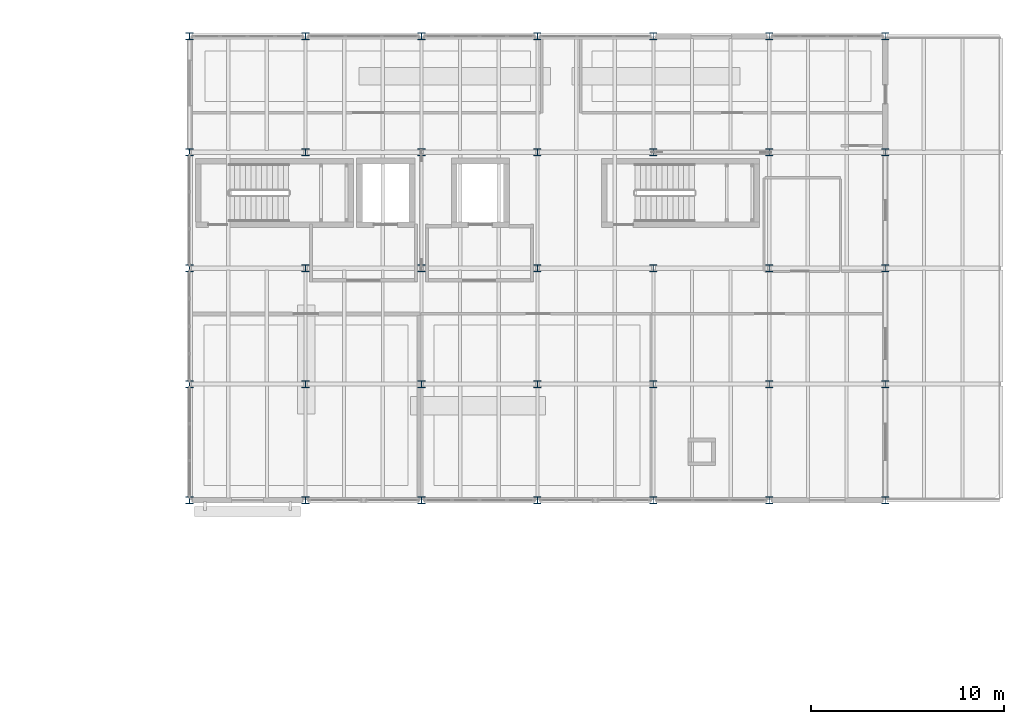
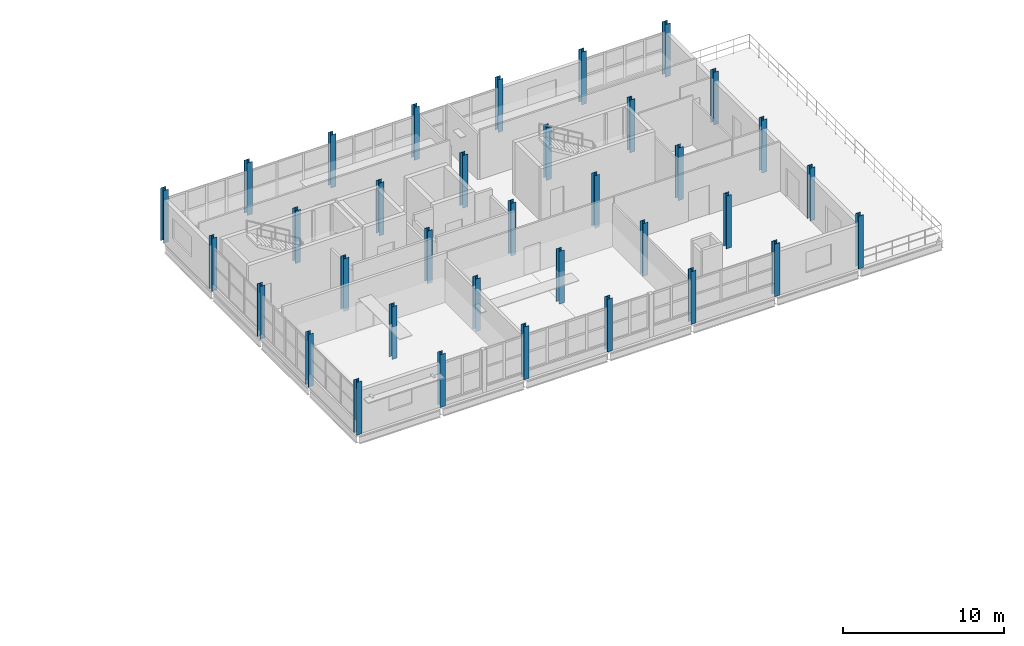
# One storey, part 8 of 45: 35 columns.
"""IFC4 building model written with IfcOpenShell, lengths in metres."""

from ifc_helpers import new_model, si_unit, direction, frame, origin, origin_2d, place, context, subcontext, project, spatial, i_section, extrude, material, material_profile, profile_set, type_object, element, save


model = new_model("IFC4")

# Units and contexts
model_context = context("Model", 3, precision=1e-05, world=origin(), true_north=direction((0.0, 1.0)))
body_context = subcontext(model_context, "Body", "Model", "MODEL_VIEW")
ifc_project = project(units=[si_unit("LENGTHUNIT", "METRE"), si_unit("AREAUNIT", "SQUARE_METRE"), si_unit("VOLUMEUNIT", "CUBIC_METRE"), si_unit("PLANEANGLEUNIT", "RADIAN"), si_unit("MASSUNIT", "GRAM", prefix="KILO")], contexts=[model_context])

# Site, building, storey
site_placement = place(None, origin())
site = spatial("IfcSite", under=ifc_project, at=site_placement, CompositionType="ELEMENT")
building_placement = place(site_placement, origin())
building = spatial("IfcBuilding", under=site, at=building_placement, Name="Siltcreek Boulevard Central Fire Station", CompositionType="ELEMENT")
storey_placement = place(building_placement, frame((0.0, 0.0, 10.0)))
storey = spatial("IfcBuildingStorey", under=building, at=storey_placement, Name="L03", CompositionType="ELEMENT", Elevation=10.0)

# Columns
ifc_material = material(Name="Structural steel ASTM A992 Gr50", Category="steel")
ifc_material_profile = material_profile(ifc_material, i_section(OverallWidth=0.37109375, OverallDepth=0.364013671875, WebThickness=0.01318359375, FlangeThickness=0.021728515625, at=origin_2d()), Name="W360X162")
ifc_profile_set = profile_set([ifc_material_profile], Name="Structural steel ASTM A992 Gr50")
column_type = type_object("IfcColumnType", Name="COL_W360X162", PredefinedType="COLUMN", material=ifc_profile_set)
for number, where, z_axis, x_axis, name in (
    (1, (124.199951171875, 88.199951171875, 0.0), (0.0, 0.0, 1.0), (1.0, 0.0, 0.0), "L03 structural column COLG-L03-1242-882"),
    (2, (124.199951171875, 94.199951171875, 0.0), (0.0, 0.0, 1.0), (1.0, 0.0, 0.0), "L03 structural column COLG-L03-1242-942"),
    (3, (124.199951171875, 100.199951171875, 0.0), (0.0, 0.0, 1.0), (1.0, 0.0, 0.0), "L03 structural column COLG-L03-1242-1002"),
    (4, (124.199951171875, 106.199951171875, 0.0), (0.0, 0.0, 1.0), (1.0, 0.0, 0.0), "L03 structural column COLG-L03-1242-1062"),
    (5, (124.199951171875, 112.199951171875, 0.0), (0.0, 0.0, 1.0), (1.0, 0.0, 0.0), "L03 structural column COLG-L03-1242-1122"),
    (6, (130.199951171875, 88.199951171875, 0.0), (0.0, 0.0, 1.0), (1.0, 0.0, 0.0), "L03 structural column COLG-L03-1302-882"),
    (7, (130.199951171875, 94.199951171875, 0.0), (0.0, 0.0, 1.0), (1.0, 0.0, 0.0), "L03 structural column COLG-L03-1302-942"),
    (8, (130.199951171875, 100.199951171875, 0.0), (0.0, 0.0, 1.0), (1.0, 0.0, 0.0), "L03 structural column COLG-L03-1302-1002"),
    (9, (130.199951171875, 106.199951171875, 0.0), (0.0, 0.0, 1.0), (1.0, 0.0, 0.0), "L03 structural column COLG-L03-1302-1062"),
    (10, (130.199951171875, 112.199951171875, 0.0), (0.0, 0.0, 1.0), (1.0, 0.0, 0.0), "L03 structural column COLG-L03-1302-1122"),
    (11, (136.199951171875, 88.199951171875, 0.0), (0.0, 0.0, 1.0), (1.0, 0.0, 0.0), "L03 structural column COLG-L03-1362-882"),
    (12, (136.199951171875, 94.199951171875, 0.0), (0.0, 0.0, 1.0), (1.0, 0.0, 0.0), "L03 structural column COLG-L03-1362-942"),
    (13, (136.199951171875, 100.199951171875, 0.0), (0.0, 0.0, 1.0), (1.0, 0.0, 0.0), "L03 structural column COLG-L03-1362-1002"),
    (14, (136.199951171875, 106.199951171875, 0.0), (0.0, 0.0, 1.0), (1.0, 0.0, 0.0), "L03 structural column COLG-L03-1362-1062"),
    (15, (136.199951171875, 112.199951171875, 0.0), (0.0, 0.0, 1.0), (1.0, 0.0, 0.0), "L03 structural column COLG-L03-1362-1122"),
    (16, (142.199951171875, 88.199951171875, 0.0), (0.0, 0.0, 1.0), (1.0, 0.0, 0.0), "L03 structural column COLG-L03-1422-882"),
    (17, (142.199951171875, 94.199951171875, 0.0), (0.0, 0.0, 1.0), (1.0, 0.0, 0.0), "L03 structural column COLG-L03-1422-942"),
    (18, (142.199951171875, 100.199951171875, 0.0), (0.0, 0.0, 1.0), (1.0, 0.0, 0.0), "L03 structural column COLG-L03-1422-1002"),
    (19, (142.199951171875, 106.199951171875, 0.0), (0.0, 0.0, 1.0), (1.0, 0.0, 0.0), "L03 structural column COLG-L03-1422-1062"),
    (20, (142.199951171875, 112.199951171875, 0.0), (0.0, 0.0, 1.0), (1.0, 0.0, 0.0), "L03 structural column COLG-L03-1422-1122"),
    (21, (148.199951171875, 88.199951171875, 0.0), (0.0, 0.0, 1.0), (1.0, 0.0, 0.0), "L03 structural column COLG-L03-1482-882"),
    (22, (148.199951171875, 94.199951171875, 0.0), (0.0, 0.0, 1.0), (1.0, 0.0, 0.0), "L03 structural column COLG-L03-1482-942"),
    (23, (148.199951171875, 100.199951171875, 0.0), (0.0, 0.0, 1.0), (1.0, 0.0, 0.0), "L03 structural column COLG-L03-1482-1002"),
    (24, (148.199951171875, 106.199951171875, 0.0), (0.0, 0.0, 1.0), (1.0, 0.0, 0.0), "L03 structural column COLG-L03-1482-1062"),
    (25, (148.199951171875, 112.199951171875, 0.0), (0.0, 0.0, 1.0), (1.0, 0.0, 0.0), "L03 structural column COLG-L03-1482-1122"),
    (26, (154.199951171875, 88.199951171875, 0.0), (0.0, 0.0, 1.0), (1.0, 0.0, 0.0), "L03 structural column COLG-L03-1542-882"),
    (27, (154.199951171875, 94.199951171875, 0.0), (0.0, 0.0, 1.0), (1.0, 0.0, 0.0), "L03 structural column COLG-L03-1542-942"),
    (28, (154.199951171875, 100.199951171875, 0.0), (0.0, 0.0, 1.0), (1.0, 0.0, 0.0), "L03 structural column COLG-L03-1542-1002"),
    (29, (154.199951171875, 106.199951171875, 0.0), (0.0, 0.0, 1.0), (1.0, 0.0, 0.0), "L03 structural column COLG-L03-1542-1062"),
    (30, (154.199951171875, 112.199951171875, 0.0), (0.0, 0.0, 1.0), (1.0, 0.0, 0.0), "L03 structural column COLG-L03-1542-1122"),
    (31, (160.199951171875, 88.199951171875, 0.0), (0.0, 0.0, 1.0), (1.0, 0.0, 0.0), "L03 structural column COLG-L03-1602-882"),
    (32, (160.199951171875, 94.199951171875, 0.0), (0.0, 0.0, 1.0), (1.0, 0.0, 0.0), "L03 structural column COLG-L03-1602-942"),
    (33, (160.199951171875, 100.199951171875, 0.0), (0.0, 0.0, 1.0), (1.0, 0.0, 0.0), "L03 structural column COLG-L03-1602-1002"),
    (34, (160.199951171875, 106.199951171875, 0.0), (0.0, 0.0, 1.0), (1.0, 0.0, 0.0), "L03 structural column COLG-L03-1602-1062"),
    (35, (160.199951171875, 112.199951171875, 0.0), (0.0, 0.0, 1.0), (1.0, 0.0, 0.0), "L03 structural column COLG-L03-1602-1122"),
):
    element("IfcColumn", number, at=place(storey_placement, frame(where, z_axis=z_axis, x_axis=x_axis)), inside=storey, type_object=column_type, Name=name, PredefinedType="COLUMN", context=body_context, shape_type="SweptSolid", body=[
        extrude(i_section(OverallWidth=0.37109375, OverallDepth=0.364013671875, WebThickness=0.01318359375, FlangeThickness=0.021728515625, at=origin_2d()), origin(), (0.0, 0.0, 1.0), 4.0),
    ])

save(model, "model.ifc")
